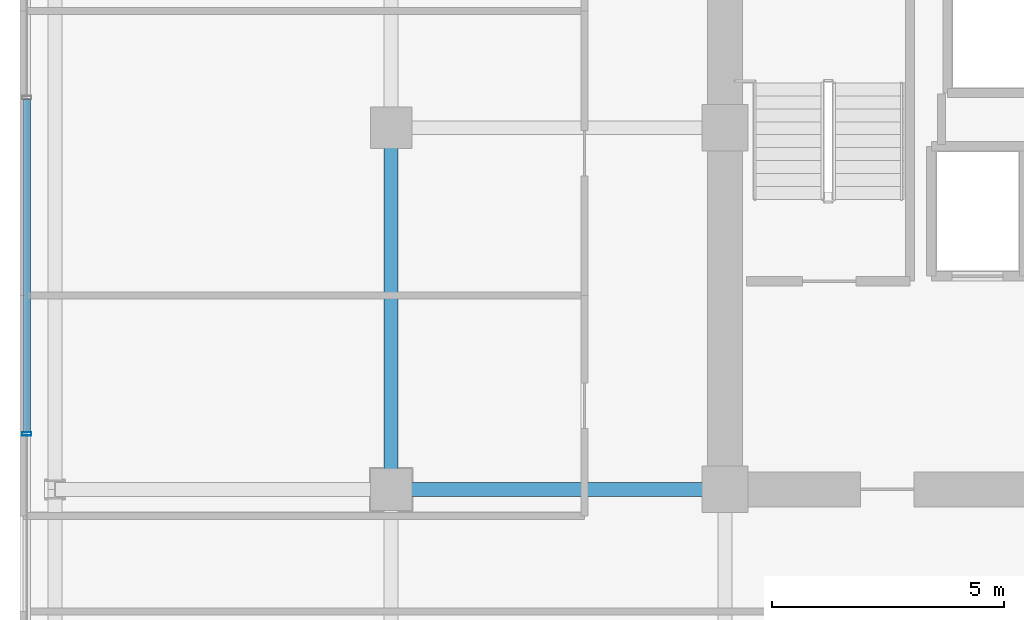
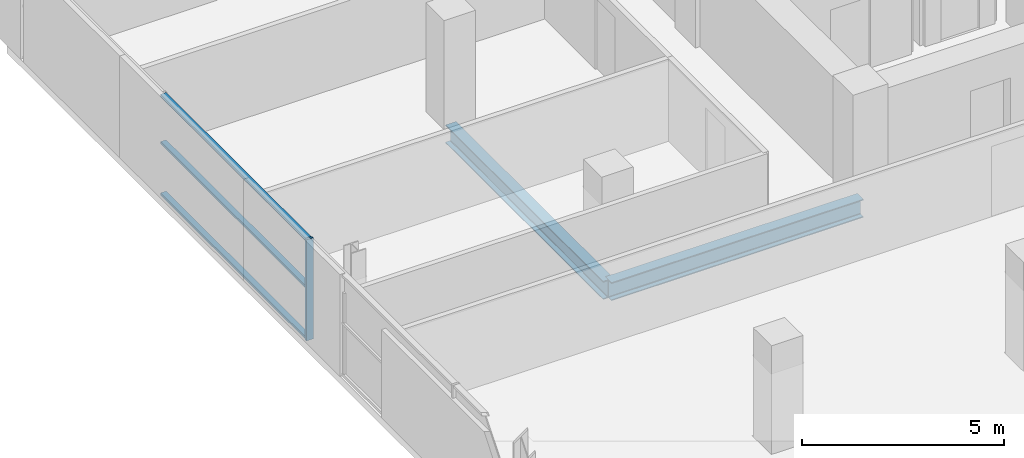
# One storey, part 8 of 27: 4 members, 2 beams, 1 element without a shape of its own.
"""IFC4 building model written with IfcOpenShell, lengths in metres."""

from ifc_helpers import new_model, si_unit, direction, frame, origin, origin_2d, place, context, subcontext, project, spatial, hollow_rectangle, i_section, extrude, source, transform, mapped, material, layer, layer_set, material_profile, profile_set, type_object, element, aggregate, save


model = new_model("IFC4")

# Units and contexts
model_context = context("Model", 3, precision=1e-05, world=origin(), true_north=direction((0.0, 1.0)))
body_context = subcontext(model_context, "Body", "Model", "MODEL_VIEW")
ifc_project = project(units=[si_unit("LENGTHUNIT", "METRE"), si_unit("AREAUNIT", "SQUARE_METRE"), si_unit("VOLUMEUNIT", "CUBIC_METRE"), si_unit("PLANEANGLEUNIT", "RADIAN"), si_unit("MASSUNIT", "GRAM", prefix="KILO")], contexts=[model_context])

# Site, building, storey
site_placement = place(None, origin())
site = spatial("IfcSite", under=ifc_project, at=site_placement, CompositionType="ELEMENT")
building_placement = place(site_placement, origin())
building = spatial("IfcBuilding", under=site, at=building_placement, Name="Zarnakvel Exchange Tower", CompositionType="ELEMENT")
storey_placement = place(building_placement, frame((0.0, 0.0, 106.60009765625)))
storey = spatial("IfcBuildingStorey", under=building, at=storey_placement, Name="L29", CompositionType="ELEMENT", Elevation=106.60009765625)

# Beams
ifc_material_1 = material(Name="Steel S355", Category="steel")
ifc_material_profile_1 = material_profile(ifc_material_1, i_section(OverallWidth=0.300048828125, OverallDepth=0.550048828125, WebThickness=0.014892578125, FlangeThickness=0.029052734375, FilletRadius=0.027099609375, at=origin_2d()))
ifc_profile_set_1 = profile_set([ifc_material_profile_1], Name="Steel S355")
beam_type = type_object("IfcBeamType", Name="G-05", PredefinedType="BEAM", material=ifc_profile_set_1)
beam_1_placement = place(storey_placement, frame((-21.60009765625, -1.199951171875, -0.5), z_axis=(1.0, 0.0, 0.0), x_axis=(0.0, 1.0, 0.0)))
element("IfcBeam", 1, at=beam_1_placement, inside=storey, type_object=beam_type, Name="L29 Tower E-W Frame Beam", PredefinedType="BEAM", context=body_context, shape_type="SweptSolid", body=[
    extrude(i_section(OverallWidth=0.300048828125, OverallDepth=0.550048828125, WebThickness=0.014892578125, FlangeThickness=0.029052734375, FilletRadius=0.027099609375, at=origin_2d()), origin(), (0.0, 0.0, 1.0), 7.2001953125),
])
beam_2_placement = place(storey_placement, frame((-21.60009765625, -1.199951171875, -0.5), z_axis=(0.0, 1.0, 0.0), x_axis=(-1.0, 0.0, 0.0)))
element("IfcBeam", 2, at=beam_2_placement, inside=storey, type_object=beam_type, Name="L29 Tower N-S Frame Beam", PredefinedType="BEAM", context=body_context, shape_type="SweptSolid", body=[
    extrude(i_section(OverallWidth=0.300048828125, OverallDepth=0.550048828125, WebThickness=0.014892578125, FlangeThickness=0.029052734375, FilletRadius=0.027099609375, at=origin_2d()), origin(), (0.0, 0.0, 1.0), 7.800048828125),
])

# Curtain wall, members
ifc_material_2 = material(Name="Architectural Bronze Anodised Aluminium", Category="aluminium")
ifc_layer = layer(ifc_material_2, 0.199951171875)
ifc_layer_set = layer_set([ifc_layer], Name="Architectural Bronze Anodised Aluminium")
curtain_wall_type = type_object("IfcCurtainWallType", Name="CW-04", PredefinedType="NOTDEFINED", material=ifc_layer_set)
curtain_wall_placement = place(storey_placement, origin())
curtain_wall = element("IfcCurtainWall", 3, at=curtain_wall_placement, inside=storey, type_object=curtain_wall_type, Name="L29 Curtain Wall CW-L29-W1 (CW-04)", PredefinedType="NOTDEFINED")
ifc_material_profile_2 = material_profile(ifc_material_2, hollow_rectangle(XDim=0.199951171875, YDim=0.074951171875, WallThickness=0.0048828125, at=origin_2d()))
ifc_profile_set_2 = profile_set([ifc_material_profile_2], Name="Architectural Bronze Anodised Aluminium")
member_type_1 = type_object("IfcMemberType", Name="CWM-04", PredefinedType="MULLION", material=ifc_profile_set_2)
shared_shape_1 = source(origin(), body_context, "Body", "SweptSolid", [
    extrude(hollow_rectangle(XDim=0.199951171875, YDim=0.074951171875, WallThickness=0.0048828125, at=origin_2d()), origin(), (0.0, 0.0, 1.0), 3.054931640625),
])
member_1_placement = place(storey_placement, frame((-29.4599609375, 0.0, 0.0), z_axis=(0.0, 0.0, 1.0), x_axis=(-1.0, 0.0, 0.0)))
member_1 = element("IfcMember", 4, at=member_1_placement, type_object=member_type_1, Name="CW-04 mullion 3", PredefinedType="MULLION", context=body_context, shape_type="MappedRepresentation", body=[
    mapped(shared_shape_1, transform((0.0, 0.0, 0.0), x_axis=(1.0, 0.0, 0.0), y_axis=(0.0, 1.0, 0.0), z_axis=(0.0, 0.0, 1.0), scale=1.0)),
])
ifc_material_profile_3 = material_profile(ifc_material_2, hollow_rectangle(XDim=0.159912109375, YDim=0.074951171875, WallThickness=0.00390625, at=origin_2d()))
ifc_profile_set_3 = profile_set([ifc_material_profile_3], Name="Architectural Bronze Anodised Aluminium")
member_type_2 = type_object("IfcMemberType", Name="CWT-04", PredefinedType="USERDEFINED", material=ifc_profile_set_3)
shared_shape_2 = source(origin(), body_context, "Body", "SweptSolid", [
    extrude(hollow_rectangle(XDim=0.159912109375, YDim=0.074951171875, WallThickness=0.00390625, at=origin_2d()), origin(), (0.0, 0.0, 1.0), 7.1748046875),
])
member_2_placement = place(storey_placement, frame((-29.4599609375, 0.03759765625, 0.037353515625), z_axis=(0.0, 1.0, 0.0), x_axis=(-1.0, 0.0, 0.0)))
member_2 = element("IfcMember", 5, at=member_2_placement, type_object=member_type_2, Name="CW-04 transom 3.1", ObjectType="TRANSOM", PredefinedType="USERDEFINED", context=body_context, shape_type="MappedRepresentation", body=[
    mapped(shared_shape_2, transform((0.0, 0.0, 0.0), x_axis=(1.0, 0.0, 0.0), y_axis=(0.0, 1.0, 0.0), z_axis=(0.0, 0.0, 1.0), scale=1.0)),
])
member_3_placement = place(storey_placement, frame((-29.4599609375, 0.03759765625, 1.588623046875), z_axis=(0.0, 1.0, 0.0), x_axis=(-1.0, 0.0, 0.0)))
member_3 = element("IfcMember", 6, at=member_3_placement, type_object=member_type_2, Name="CW-04 transom 3.2", ObjectType="TRANSOM", PredefinedType="USERDEFINED", context=body_context, shape_type="MappedRepresentation", body=[
    mapped(shared_shape_2, transform((0.0, 0.0, 0.0), x_axis=(1.0, 0.0, 0.0), y_axis=(0.0, 1.0, 0.0), z_axis=(0.0, 0.0, 1.0), scale=1.0)),
])
member_4_placement = place(storey_placement, frame((-29.4599609375, 0.03759765625, 3.017333984375), z_axis=(0.0, 1.0, 0.0), x_axis=(-1.0, 0.0, 0.0)))
member_4 = element("IfcMember", 7, at=member_4_placement, type_object=member_type_2, Name="CW-04 transom 3.3", ObjectType="TRANSOM", PredefinedType="USERDEFINED", context=body_context, shape_type="MappedRepresentation", body=[
    mapped(shared_shape_2, transform((0.0, 0.0, 0.0), x_axis=(1.0, 0.0, 0.0), y_axis=(0.0, 1.0, 0.0), z_axis=(0.0, 0.0, 1.0), scale=1.0)),
])
aggregate(curtain_wall, [member_1, member_2, member_3, member_4])

save(model, "model.ifc")
